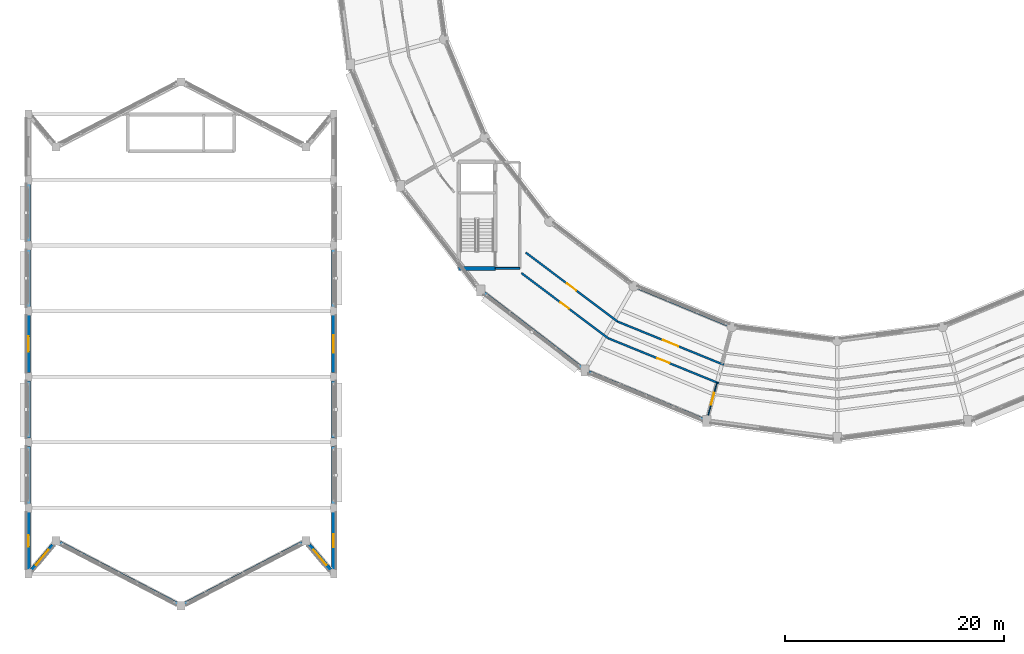
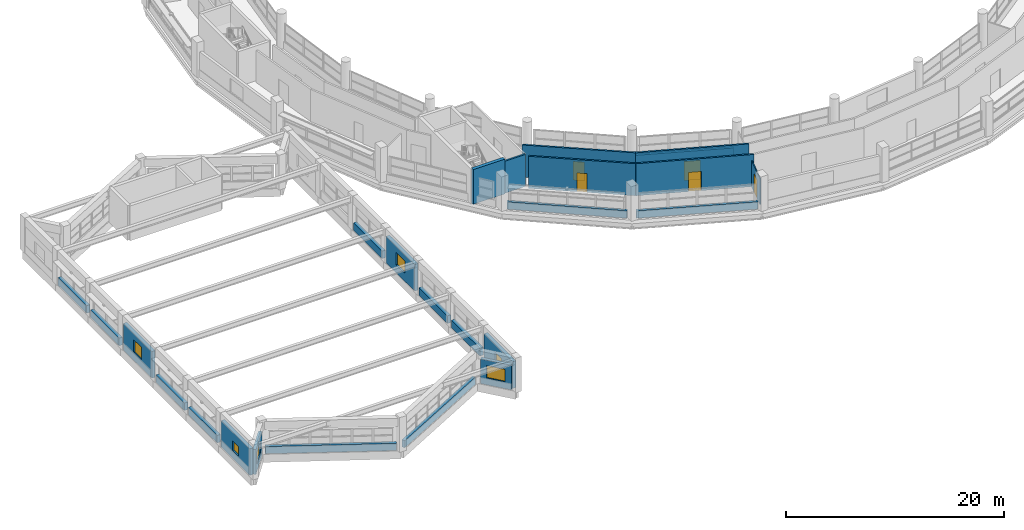
# One storey, part 89 of 108: 25 walls, 6 windows, 5 doors, 11 openings.
"""IFC4 building model written with IfcOpenShell, lengths in metres."""

from ifc_helpers import new_model, si_unit, direction, frame, frame_2d, origin, place, context, subcontext, project, spatial, rectangle, extrude, material, layer, layer_set, type_object, element, fill, save


model = new_model("IFC4")

# Units and contexts
model_context = context("Model", 3, precision=1e-05, world=origin(), true_north=direction((0.0, 1.0)))
body_context = subcontext(model_context, "Body", "Model", "MODEL_VIEW")
ifc_project = project(units=[si_unit("LENGTHUNIT", "METRE"), si_unit("AREAUNIT", "SQUARE_METRE"), si_unit("VOLUMEUNIT", "CUBIC_METRE"), si_unit("PLANEANGLEUNIT", "RADIAN"), si_unit("MASSUNIT", "GRAM", prefix="KILO")], contexts=[model_context])

# Site, building, storey
site_placement = place(None, origin())
site = spatial("IfcSite", under=ifc_project, at=site_placement, CompositionType="ELEMENT")
building_placement = place(site_placement, origin())
building = spatial("IfcBuilding", under=site, at=building_placement, Name="Vespera Passage Community Centre", CompositionType="ELEMENT")
storey_placement = place(building_placement, frame((0.0, 0.0, 12.60009765625)))
storey = spatial("IfcBuildingStorey", under=building, at=storey_placement, Name="L03", CompositionType="ELEMENT", Elevation=12.60009765625)

# Walls
ifc_material_1 = material(Name="Concrete f'c 45 MPa", Category="concrete")
ifc_layer_1 = layer(ifc_material_1, 0.340087890625)
ifc_layer_set_1 = layer_set([ifc_layer_1], Name="Concrete f'c 45 MPa")
wall_type_1 = type_object("IfcWallType", Name="WT-CORE-340I", PredefinedType="SHEAR", material=ifc_layer_set_1)
wall_1_placement = place(storey_placement, frame((46.73095703125, 34.89990234375, 0.0), z_axis=(0.0, 0.0, 1.0), x_axis=(-1.0, 0.0, 0.0)))
element("IfcWall", 1, at=wall_1_placement, inside=storey, type_object=wall_type_1, Name="Core C3 L03 Shear Wall LEFT", PredefinedType="SHEAR", context=body_context, shape_type="SweptSolid", body=[
    extrude(rectangle(XDim=3.33984375, YDim=0.340087890625, at=frame_2d((1.669921875, 0.0))), origin(), (0.0, 0.0, 1.0), 3.89990234375),
])
ifc_material_2 = material(Name="Gypsum board acoustic stud partition")
ifc_layer_2 = layer(ifc_material_2, 0.179931640625)
ifc_layer_set_2 = layer_set([ifc_layer_2], Name="Gypsum board acoustic stud partition")
wall_type_2 = type_object("IfcWallType", Name="WT-CORR-180I", PredefinedType="PARTITIONING", material=ifc_layer_set_2)
wall_2_placement = place(storey_placement, frame((46.73095703125, 34.89990234375, 0.0), z_axis=(0.0, 0.0, 1.0), x_axis=(1.0, 0.0, 0.0)))
element("IfcWall", 2, at=wall_2_placement, inside=storey, type_object=wall_type_2, Name="Core C3 L03 Lift Lobby Side Wall L", PredefinedType="PARTITIONING", context=body_context, shape_type="SweptSolid", body=[
    extrude(rectangle(XDim=2.25, YDim=0.179931640625, at=frame_2d((1.125, 0.0))), origin(), (0.0, 0.0, 1.0), 3.594970703125),
])

# Wall, opening, door
wall_3_placement = place(storey_placement, frame((49.124755859375, 34.47998046875, 0.0), z_axis=(0.0, 0.0, 1.0), x_axis=(0.799295797557, -0.600937790464, 0.0)))
wall_3 = element("IfcWall", 3, at=wall_3_placement, inside=storey, type_object=wall_type_2, Name="L03 Interior Partition V4-L03-CO14.1", PredefinedType="PARTITIONING", context=body_context, shape_type="SweptSolid", body=[
    extrude(rectangle(XDim=9.9091796875, YDim=0.179931640625, at=frame_2d((4.95458984375, 0.0))), origin(), (0.0, 0.0, 1.0), 3.594970703125),
])
opening_1_placement = place(wall_3_placement, frame((4.4794921875, 0.0, 0.0)))
opening_1 = element("IfcOpeningElement", 4, at=opening_1_placement, cuts=wall_3, Name="Opening DT-CORR-95", PredefinedType="OPENING", context=body_context, shape_type="SweptSolid", body=[
    extrude(rectangle(XDim=0.949951171875, YDim=2.10009765625, at=frame_2d((0.47509765625, 1.050048828125))), frame((0.0, 0.099853515625, 0.0), z_axis=(0.0, -1.0, 0.0), x_axis=(1.0, 0.0, 0.0)), (0.0, 0.0, 1.0), 0.199951171875),
])
ifc_material_3 = material(Name="Painted hollow-metal acoustic door", Category="steel")
door_type_1 = type_object("IfcDoorType", Name="DT-CORR-95", OperationType="NOTDEFINED", PredefinedType="DOOR", material=ifc_material_3)
door_1_placement = place(opening_1_placement, origin())
door_1 = element("IfcDoor", 5, at=door_1_placement, inside=storey, type_object=door_type_1, Name="L03 Interior Door D-246", OperationType="SINGLE_SWING_RIGHT", OverallHeight=2.10009765625, OverallWidth=0.949951171875, PredefinedType="DOOR", context=body_context, shape_type="SweptSolid", body=[
    extrude(rectangle(XDim=0.949951171875, YDim=2.10009765625, at=frame_2d((0.47509765625, 1.050048828125))), frame((0.0, 0.02490234375, 0.0), z_axis=(0.0, -1.0, 0.0), x_axis=(1.0, 0.0, 0.0)), (0.0, 0.0, 1.0), 0.050048828125),
])
fill(opening_1, door_1)

wall_4_placement = place(storey_placement, frame((49.522705078125, 36.35205078125, 0.0), z_axis=(0.0, 0.0, 1.0), x_axis=(0.799290119266, -0.600945342975, 0.0)))
wall_4 = element("IfcWall", 6, at=wall_4_placement, inside=storey, type_object=wall_type_2, Name="L03 Interior Partition V4-L03-CI14.1", PredefinedType="PARTITIONING", context=body_context, shape_type="SweptSolid", body=[
    extrude(rectangle(XDim=10.490966796875, YDim=0.179931640625, at=frame_2d((5.24560546875, 0.0))), origin(), (0.0, 0.0, 1.0), 3.594970703125),
])
opening_2_placement = place(wall_4_placement, frame((4.720458984375, 0.0, 0.0)))
opening_2 = element("IfcOpeningElement", 7, at=opening_2_placement, cuts=wall_4, Name="Opening DT-CORR-105", PredefinedType="OPENING", context=body_context, shape_type="SweptSolid", body=[
    extrude(rectangle(XDim=1.050048828125, YDim=2.10009765625, at=frame_2d((0.52490234375, 1.050048828125))), frame((0.0, 0.099853515625, 0.0), z_axis=(0.0, -1.0, 0.0), x_axis=(1.0, 0.0, 0.0)), (0.0, 0.0, 1.0), 0.199951171875),
])
ifc_material_4 = material(Name="Painted hollow-metal acoustic door", Category="steel")
door_type_2 = type_object("IfcDoorType", Name="DT-CORR-105", OperationType="NOTDEFINED", PredefinedType="DOOR", material=ifc_material_4)
door_2_placement = place(opening_2_placement, origin())
door_2 = element("IfcDoor", 8, at=door_2_placement, inside=storey, type_object=door_type_2, Name="L03 Interior Door D-247", OperationType="SINGLE_SWING_LEFT", OverallHeight=2.10009765625, OverallWidth=1.050048828125, PredefinedType="DOOR", context=body_context, shape_type="SweptSolid", body=[
    extrude(rectangle(XDim=1.050048828125, YDim=2.10009765625, at=frame_2d((0.52490234375, 1.050048828125))), frame((0.0, 0.02490234375, 0.0), z_axis=(0.0, -1.0, 0.0), x_axis=(1.0, 0.0, 0.0)), (0.0, 0.0, 1.0), 0.050048828125),
])
fill(opening_2, door_2)

wall_5_placement = place(storey_placement, frame((57.045166015625, 28.525146484375, 0.0), z_axis=(0.0, 0.0, 1.0), x_axis=(0.926220803824, -0.376981461831, 0.0)))
wall_5 = element("IfcWall", 9, at=wall_5_placement, inside=storey, type_object=wall_type_2, Name="L03 Interior Partition V4-L03-CO15.1", PredefinedType="PARTITIONING", context=body_context, shape_type="SweptSolid", body=[
    extrude(rectangle(XDim=10.941650390625, YDim=0.179931640625, at=frame_2d((5.470703125, 0.0))), origin(), (0.0, 0.0, 1.0), 3.594970703125),
])
opening_3_placement = place(wall_5_placement, frame((4.87060546875, 0.0, 0.0)))
opening_3 = element("IfcOpeningElement", 10, at=opening_3_placement, cuts=wall_5, Name="Opening DT-CORR-120", PredefinedType="OPENING", context=body_context, shape_type="SweptSolid", body=[
    extrude(rectangle(XDim=1.199951171875, YDim=2.14990234375, at=frame_2d((0.60009765625, 1.074951171875))), frame((0.0, 0.099853515625, 0.0), z_axis=(0.0, -1.0, 0.0), x_axis=(1.0, 0.0, 0.0)), (0.0, 0.0, 1.0), 0.199951171875),
])
ifc_material_5 = material(Name="Painted hollow-metal acoustic door", Category="steel")
door_type_3 = type_object("IfcDoorType", Name="DT-CORR-120", OperationType="NOTDEFINED", PredefinedType="DOOR", material=ifc_material_5)
door_3_placement = place(opening_3_placement, origin())
door_3 = element("IfcDoor", 11, at=door_3_placement, inside=storey, type_object=door_type_3, Name="L03 Interior Door D-248", OperationType="SINGLE_SWING_RIGHT", OverallHeight=2.14990234375, OverallWidth=1.199951171875, PredefinedType="DOOR", context=body_context, shape_type="SweptSolid", body=[
    extrude(rectangle(XDim=1.199951171875, YDim=2.14990234375, at=frame_2d((0.60009765625, 1.074951171875))), frame((0.0, 0.02490234375, 0.0), z_axis=(0.0, -1.0, 0.0), x_axis=(1.0, 0.0, 0.0)), (0.0, 0.0, 1.0), 0.050048828125),
])
fill(opening_3, door_3)

wall_6_placement = place(storey_placement, frame((57.907958984375, 30.047607421875, 0.0), z_axis=(0.0, 0.0, 1.0), x_axis=(0.92623233616, -0.376953126332, 0.0)))
wall_6 = element("IfcWall", 12, at=wall_6_placement, inside=storey, type_object=wall_type_2, Name="L03 Interior Partition V4-L03-CI15.1", PredefinedType="PARTITIONING", context=body_context, shape_type="SweptSolid", body=[
    extrude(rectangle(XDim=10.490966796875, YDim=0.179931640625, at=frame_2d((5.24560546875, 0.0))), origin(), (0.0, 0.0, 1.0), 3.594970703125),
])
opening_4_placement = place(wall_6_placement, frame((4.49560546875, 0.0, 0.0)))
opening_4 = element("IfcOpeningElement", 13, at=opening_4_placement, cuts=wall_6, Name="Opening DT-CORR-150", PredefinedType="OPENING", context=body_context, shape_type="SweptSolid", body=[
    extrude(rectangle(XDim=1.5, YDim=2.14990234375, at=frame_2d((0.75, 1.074951171875))), frame((0.0, 0.099853515625, 0.0), z_axis=(0.0, -1.0, 0.0), x_axis=(1.0, 0.0, 0.0)), (0.0, 0.0, 1.0), 0.199951171875),
])
ifc_material_6 = material(Name="Painted hollow-metal acoustic door", Category="steel")
door_type_4 = type_object("IfcDoorType", Name="DT-CORR-150", OperationType="NOTDEFINED", PredefinedType="DOOR", material=ifc_material_6)
door_4_placement = place(opening_4_placement, origin())
door_4 = element("IfcDoor", 14, at=door_4_placement, inside=storey, type_object=door_type_4, Name="L03 Interior Door D-249", OperationType="SINGLE_SWING_LEFT", OverallHeight=2.14990234375, OverallWidth=1.5, PredefinedType="DOOR", context=body_context, shape_type="SweptSolid", body=[
    extrude(rectangle(XDim=1.5, YDim=2.14990234375, at=frame_2d((0.75, 1.074951171875))), frame((0.0, 0.02490234375, 0.0), z_axis=(0.0, -1.0, 0.0), x_axis=(1.0, 0.0, 0.0)), (0.0, 0.0, 1.0), 0.050048828125),
])
fill(opening_4, door_4)

# Walls
ifc_material_7 = material(Name="Precast concrete f'c 40 MPa", Category="concrete")
ifc_layer_3 = layer(ifc_material_7, 0.25)
ifc_layer_set_3 = layer_set([ifc_layer_3], Name="Precast concrete f'c 40 MPa")
wall_type_3 = type_object("IfcWallType", Name="WT-EXT-250E", PredefinedType="STANDARD", material=ifc_layer_set_3)
wall_7_placement = place(storey_placement, frame((59.677001953125, 33.169189453125, 0.0), z_axis=(0.0, 0.0, 1.0), x_axis=(0.923880324771, -0.382681519675, 0.0)))
element("IfcWall", 15, at=wall_7_placement, inside=storey, type_object=wall_type_3, Name="V4 L03 Court Spandrel Wall I16", PredefinedType="STANDARD", context=body_context, shape_type="SweptSolid", body=[
    extrude(rectangle(XDim=9.111572265625, YDim=0.25, at=frame_2d((4.5556640625, 0.0))), origin(), (0.0, 0.0, 1.0), 0.81982421875),
])
ifc_material_8 = material(Name="Precast concrete f'c 40 MPa", Category="concrete")
ifc_layer_4 = layer(ifc_material_8, 0.280029296875)
ifc_layer_set_4 = layer_set([ifc_layer_4], Name="Precast concrete f'c 40 MPa")
wall_type_4 = type_object("IfcWallType", Name="WT-EXT-280E", PredefinedType="STANDARD", material=ifc_layer_set_4)
wall_8_placement = place(storey_placement, frame((54.5947265625, 25.8486328125, 0.0), z_axis=(0.0, 0.0, 1.0), x_axis=(-0.793342066679, 0.608776120785, 0.0)))
element("IfcWall", 16, at=wall_8_placement, inside=storey, type_object=wall_type_4, Name="V4 L03 Spandrel Wall O15", PredefinedType="STANDARD", context=body_context, shape_type="SweptSolid", body=[
    extrude(rectangle(XDim=11.13916015625, YDim=0.280029296875, at=frame_2d((5.569580078125, 0.0))), origin(), (0.0, 0.0, 1.0), 0.81982421875),
])
wall_9_placement = place(storey_placement, frame((65.716552734375, 21.11669921875, 0.0), z_axis=(0.0, 0.0, 1.0), x_axis=(-0.923883530636, 0.382673779896, 0.0)))
element("IfcWall", 17, at=wall_9_placement, inside=storey, type_object=wall_type_4, Name="V4 L03 Spandrel Wall O16", PredefinedType="STANDARD", context=body_context, shape_type="SweptSolid", body=[
    extrude(rectangle(XDim=11.2724609375, YDim=0.280029296875, at=frame_2d((5.63623046875, 0.0))), origin(), (0.0, 0.0, 1.0), 0.81982421875),
])

# Wall, opening, window
ifc_material_9 = material(Name="Precast concrete f'c 40 MPa", Category="concrete")
ifc_layer_5 = layer(ifc_material_9, 0.320068359375)
ifc_layer_set_5 = layer_set([ifc_layer_5], Name="Precast concrete f'c 40 MPa")
wall_type_5 = type_object("IfcWallType", Name="WT-EXT-320E", PredefinedType="STANDARD", material=ifc_layer_set_5)
wall_10_placement = place(storey_placement, frame((31.666015625, 7.33740234375, 0.0), z_axis=(0.0, 0.0, 1.0), x_axis=(-0.643796278673, 0.765196936459, 0.0)))
wall_10 = element("IfcWall", 18, at=wall_10_placement, inside=storey, type_object=wall_type_5, Name="V1 L03 S Apse Wall 1", PredefinedType="STANDARD", context=body_context, shape_type="SweptSolid", body=[
    extrude(rectangle(XDim=3.012451171875, YDim=0.320068359375, at=frame_2d((1.50634765625, 0.0))), origin(), (0.0, 0.0, 1.0), 2.764892578125),
])
opening_5_placement = place(wall_10_placement, frame((0.606201171875, 0.0, 0.75)))
opening_5 = element("IfcOpeningElement", 19, at=opening_5_placement, cuts=wall_10, Name="Opening WN-06E", PredefinedType="OPENING", context=body_context, shape_type="SweptSolid", body=[
    extrude(rectangle(XDim=1.800048828125, YDim=1.39990234375, at=frame_2d((0.89990234375, 0.699951171875))), frame((0.0, 0.170166015625, 0.0), z_axis=(0.0, -1.0, 0.0), x_axis=(1.0, 0.0, 0.0)), (0.0, 0.0, 1.0), 0.340087890625),
])
ifc_material_10 = material(Name="Low-E insulated vision glass", Category="glass")
window_type_1 = type_object("IfcWindowType", Name="WN-06E", PartitioningType="SINGLE_PANEL", PredefinedType="WINDOW", material=ifc_material_10)
window_1_placement = place(opening_5_placement, origin())
window_1 = element("IfcWindow", 20, at=window_1_placement, inside=storey, type_object=window_type_1, Name="Window WN-V1-L03-APS1", OverallHeight=1.39990234375, OverallWidth=1.800048828125, PartitioningType="SINGLE_PANEL", PredefinedType="WINDOW", context=body_context, shape_type="SweptSolid", body=[
    extrude(rectangle(XDim=1.800048828125, YDim=1.39990234375, at=frame_2d((0.89990234375, 0.699951171875))), frame((0.0, 0.030029296875, 0.0), z_axis=(0.0, -1.0, 0.0), x_axis=(1.0, 0.0, 0.0)), (0.0, 0.0, 1.0), 0.06005859375),
])
fill(opening_5, window_1)

# Walls
for number, where, z_axis, x_axis, name in (
    (21, (29.074462890625, 9.81494140625, 0.0), (0.0, 0.0, 1.0), (-0.887012674584, -0.46174507591, 0.0), "V1 L03 S Apse Spandrel 2"),
    (22, (17.647216796875, 4.233642578125, 0.0), (0.0, 0.0, 1.0), (-0.887012674584, 0.46174507591, 0.0), "V1 L03 S Apse Spandrel 3"),
):
    element("IfcWall", number, at=place(storey_placement, frame(where, z_axis=z_axis, x_axis=x_axis)), inside=storey, type_object=wall_type_5, Name=name, PredefinedType="STANDARD", context=body_context, shape_type="SweptSolid", body=[
        extrude(rectangle(XDim=12.08740234375, YDim=0.320068359375, at=frame_2d((6.043701171875, 0.0))), origin(), (0.0, 0.0, 1.0), 0.7998046875),
    ])

# Wall, opening, window
wall_11_placement = place(storey_placement, frame((6.2734375, 9.642578125, 0.0), z_axis=(0.0, 0.0, 1.0), x_axis=(-0.643796278673, -0.765196936459, 0.0)))
wall_11 = element("IfcWall", 23, at=wall_11_placement, inside=storey, type_object=wall_type_5, Name="V1 L03 S Apse Wall 4", PredefinedType="STANDARD", context=body_context, shape_type="SweptSolid", body=[
    extrude(rectangle(XDim=3.012451171875, YDim=0.320068359375, at=frame_2d((1.50634765625, 0.0))), origin(), (0.0, 0.0, 1.0), 2.764892578125),
])
opening_6_placement = place(wall_11_placement, frame((0.606201171875, 0.0, 0.75)))
opening_6 = element("IfcOpeningElement", 24, at=opening_6_placement, cuts=wall_11, Name="Opening WN-06E", PredefinedType="OPENING", context=body_context, shape_type="SweptSolid", body=[
    extrude(rectangle(XDim=1.800048828125, YDim=1.39990234375, at=frame_2d((0.89990234375, 0.699951171875))), frame((0.0, 0.170166015625, 0.0), z_axis=(0.0, -1.0, 0.0), x_axis=(1.0, 0.0, 0.0)), (0.0, 0.0, 1.0), 0.340087890625),
])
window_2_placement = place(opening_6_placement, origin())
window_2 = element("IfcWindow", 25, at=window_2_placement, inside=storey, type_object=window_type_1, Name="Window WN-V1-L03-APS4", OverallHeight=1.39990234375, OverallWidth=1.800048828125, PartitioningType="SINGLE_PANEL", PredefinedType="WINDOW", context=body_context, shape_type="SweptSolid", body=[
    extrude(rectangle(XDim=1.800048828125, YDim=1.39990234375, at=frame_2d((0.89990234375, 0.699951171875))), frame((0.0, 0.030029296875, 0.0), z_axis=(0.0, -1.0, 0.0), x_axis=(1.0, 0.0, 0.0)), (0.0, 0.0, 1.0), 0.06005859375),
])
fill(opening_6, window_2)

ifc_material_11 = material(Name="Precast concrete f'c 40 MPa", Category="concrete")
ifc_layer_6 = layer(ifc_material_11, 0.360107421875)
ifc_layer_set_6 = layer_set([ifc_layer_6], Name="Precast concrete f'c 40 MPa")
wall_type_6 = type_object("IfcWallType", Name="WT-EXT-360E", PredefinedType="STANDARD", material=ifc_layer_set_6)
wall_12_placement = place(storey_placement, frame((4.050048828125, 7.375, 0.0), z_axis=(0.0, 0.0, 1.0), x_axis=(0.0, 1.0, 0.0)))
wall_12 = element("IfcWall", 26, at=wall_12_placement, inside=storey, type_object=wall_type_6, Name="V1 L03 Facade Wall W1", PredefinedType="STANDARD", context=body_context, shape_type="SweptSolid", body=[
    extrude(rectangle(XDim=5.25, YDim=0.360107421875, at=frame_2d((2.625, 0.0))), origin(), (0.0, 0.0, 1.0), 2.98486328125),
])
opening_7_placement = place(wall_12_placement, frame((2.10009765625, 0.0, 0.89990234375)))
opening_7 = element("IfcOpeningElement", 27, at=opening_7_placement, cuts=wall_12, Name="Opening WN-02E", PredefinedType="OPENING", context=body_context, shape_type="SweptSolid", body=[
    extrude(rectangle(XDim=1.050048828125, YDim=1.050048828125, at=frame_2d((0.52490234375, 0.52490234375))), frame((0.0, 0.190185546875, 0.0), z_axis=(0.0, -1.0, 0.0), x_axis=(1.0, 0.0, 0.0)), (0.0, 0.0, 1.0), 0.380126953125),
])
ifc_material_12 = material(Name="Low-E insulated vision glass", Category="glass")
window_type_2 = type_object("IfcWindowType", Name="WN-02E", PartitioningType="SINGLE_PANEL", PredefinedType="WINDOW", material=ifc_material_12)
window_3_placement = place(opening_7_placement, origin())
window_3 = element("IfcWindow", 28, at=window_3_placement, inside=storey, type_object=window_type_2, Name="Window WN-V1-L03-W1", OverallHeight=1.050048828125, OverallWidth=1.050048828125, PartitioningType="SINGLE_PANEL", PredefinedType="WINDOW", context=body_context, shape_type="SweptSolid", body=[
    extrude(rectangle(XDim=1.050048828125, YDim=1.050048828125, at=frame_2d((0.52490234375, 0.52490234375))), frame((0.0, 0.030029296875, 0.0), z_axis=(0.0, -1.0, 0.0), x_axis=(1.0, 0.0, 0.0)), (0.0, 0.0, 1.0), 0.06005859375),
])
fill(opening_7, window_3)

wall_13_placement = place(storey_placement, frame((31.949951171875, 12.625, 0.0), z_axis=(0.0, 0.0, 1.0), x_axis=(0.0, -1.0, 0.0)))
wall_13 = element("IfcWall", 29, at=wall_13_placement, inside=storey, type_object=wall_type_6, Name="V1 L03 Facade Wall E1", PredefinedType="STANDARD", context=body_context, shape_type="SweptSolid", body=[
    extrude(rectangle(XDim=5.25, YDim=0.360107421875, at=frame_2d((2.625, 0.0))), origin(), (0.0, 0.0, 1.0), 2.98486328125),
])
opening_8_placement = place(wall_13_placement, frame((2.02490234375, 0.0, 0.89990234375)))
opening_8 = element("IfcOpeningElement", 30, at=opening_8_placement, cuts=wall_13, Name="Opening WN-03E", PredefinedType="OPENING", context=body_context, shape_type="SweptSolid", body=[
    extrude(rectangle(XDim=1.199951171875, YDim=1.199951171875, at=frame_2d((0.60009765625, 0.60009765625))), frame((0.0, 0.190185546875, 0.0), z_axis=(0.0, -1.0, 0.0), x_axis=(1.0, 0.0, 0.0)), (0.0, 0.0, 1.0), 0.380126953125),
])
ifc_material_13 = material(Name="Low-E insulated vision glass", Category="glass")
window_type_3 = type_object("IfcWindowType", Name="WN-03E", PartitioningType="SINGLE_PANEL", PredefinedType="WINDOW", material=ifc_material_13)
window_4_placement = place(opening_8_placement, origin())
window_4 = element("IfcWindow", 31, at=window_4_placement, inside=storey, type_object=window_type_3, Name="Window WN-V1-L03-E1", OverallHeight=1.199951171875, OverallWidth=1.199951171875, PartitioningType="SINGLE_PANEL", PredefinedType="WINDOW", context=body_context, shape_type="SweptSolid", body=[
    extrude(rectangle(XDim=1.199951171875, YDim=1.199951171875, at=frame_2d((0.60009765625, 0.60009765625))), frame((0.0, 0.030029296875, 0.0), z_axis=(0.0, -1.0, 0.0), x_axis=(1.0, 0.0, 0.0)), (0.0, 0.0, 1.0), 0.06005859375),
])
fill(opening_8, window_4)

# Walls
for number, where, z_axis, x_axis, name in (
    (32, (4.050048828125, 13.375, 0.0), (0.0, 0.0, 1.0), (0.0, 1.0, 0.0), "V1 L03 Spandrel W2"),
    (33, (31.949951171875, 18.625, 0.0), (0.0, 0.0, 1.0), (0.0, -1.0, 0.0), "V1 L03 Spandrel E2"),
    (34, (4.050048828125, 19.375, 0.0), (0.0, 0.0, 1.0), (0.0, 1.0, 0.0), "V1 L03 Spandrel W3"),
    (35, (31.949951171875, 24.625, 0.0), (0.0, 0.0, 1.0), (0.0, -1.0, 0.0), "V1 L03 Spandrel E3"),
):
    element("IfcWall", number, at=place(storey_placement, frame(where, z_axis=z_axis, x_axis=x_axis)), inside=storey, type_object=wall_type_6, Name=name, PredefinedType="STANDARD", context=body_context, shape_type="SweptSolid", body=[
        extrude(rectangle(XDim=5.25, YDim=0.360107421875, at=frame_2d((2.625, 0.0))), origin(), (0.0, 0.0, 1.0), 0.849853515625),
    ])

# Wall, opening, window
wall_14_placement = place(storey_placement, frame((4.050048828125, 25.375, 0.0), z_axis=(0.0, 0.0, 1.0), x_axis=(0.0, 1.0, 0.0)))
wall_14 = element("IfcWall", 36, at=wall_14_placement, inside=storey, type_object=wall_type_6, Name="V1 L03 Facade Wall W4", PredefinedType="STANDARD", context=body_context, shape_type="SweptSolid", body=[
    extrude(rectangle(XDim=5.25, YDim=0.360107421875, at=frame_2d((2.625, 0.0))), origin(), (0.0, 0.0, 1.0), 2.98486328125),
])
opening_9_placement = place(wall_14_placement, frame((1.925048828125, 0.0, 0.89990234375)))
opening_9 = element("IfcOpeningElement", 37, at=opening_9_placement, cuts=wall_14, Name="Opening WN-04E", PredefinedType="OPENING", context=body_context, shape_type="SweptSolid", body=[
    extrude(rectangle(XDim=1.39990234375, YDim=1.39990234375, at=frame_2d((0.699951171875, 0.699951171875))), frame((0.0, 0.190185546875, 0.0), z_axis=(0.0, -1.0, 0.0), x_axis=(1.0, 0.0, 0.0)), (0.0, 0.0, 1.0), 0.380126953125),
])
ifc_material_14 = material(Name="Low-E insulated vision glass", Category="glass")
window_type_4 = type_object("IfcWindowType", Name="WN-04E", PartitioningType="SINGLE_PANEL", PredefinedType="WINDOW", material=ifc_material_14)
window_5_placement = place(opening_9_placement, origin())
window_5 = element("IfcWindow", 38, at=window_5_placement, inside=storey, type_object=window_type_4, Name="Window WN-V1-L03-W4", OverallHeight=1.39990234375, OverallWidth=1.39990234375, PartitioningType="SINGLE_PANEL", PredefinedType="WINDOW", context=body_context, shape_type="SweptSolid", body=[
    extrude(rectangle(XDim=1.39990234375, YDim=1.39990234375, at=frame_2d((0.699951171875, 0.699951171875))), frame((0.0, 0.030029296875, 0.0), z_axis=(0.0, -1.0, 0.0), x_axis=(1.0, 0.0, 0.0)), (0.0, 0.0, 1.0), 0.06005859375),
])
fill(opening_9, window_5)

wall_15_placement = place(storey_placement, frame((31.949951171875, 30.625, 0.0), z_axis=(0.0, 0.0, 1.0), x_axis=(0.0, -1.0, 0.0)))
wall_15 = element("IfcWall", 39, at=wall_15_placement, inside=storey, type_object=wall_type_6, Name="V1 L03 Facade Wall E4", PredefinedType="STANDARD", context=body_context, shape_type="SweptSolid", body=[
    extrude(rectangle(XDim=5.25, YDim=0.360107421875, at=frame_2d((2.625, 0.0))), origin(), (0.0, 0.0, 1.0), 2.98486328125),
])
opening_10_placement = place(wall_15_placement, frame((1.824951171875, 0.0, 0.89990234375)))
opening_10 = element("IfcOpeningElement", 40, at=opening_10_placement, cuts=wall_15, Name="Opening WN-05E", PredefinedType="OPENING", context=body_context, shape_type="SweptSolid", body=[
    extrude(rectangle(XDim=1.60009765625, YDim=1.39990234375, at=frame_2d((0.800048828125, 0.699951171875))), frame((0.0, 0.190185546875, 0.0), z_axis=(0.0, -1.0, 0.0), x_axis=(1.0, 0.0, 0.0)), (0.0, 0.0, 1.0), 0.380126953125),
])
ifc_material_15 = material(Name="Low-E insulated vision glass", Category="glass")
window_type_5 = type_object("IfcWindowType", Name="WN-05E", PartitioningType="SINGLE_PANEL", PredefinedType="WINDOW", material=ifc_material_15)
window_6_placement = place(opening_10_placement, origin())
window_6 = element("IfcWindow", 41, at=window_6_placement, inside=storey, type_object=window_type_5, Name="Window WN-V1-L03-E4", OverallHeight=1.39990234375, OverallWidth=1.60009765625, PartitioningType="SINGLE_PANEL", PredefinedType="WINDOW", context=body_context, shape_type="SweptSolid", body=[
    extrude(rectangle(XDim=1.60009765625, YDim=1.39990234375, at=frame_2d((0.800048828125, 0.699951171875))), frame((0.0, 0.030029296875, 0.0), z_axis=(0.0, -1.0, 0.0), x_axis=(1.0, 0.0, 0.0)), (0.0, 0.0, 1.0), 0.06005859375),
])
fill(opening_10, window_6)

# Walls
for number, where, z_axis, x_axis, name in (
    (42, (4.050048828125, 31.375, 0.0), (0.0, 0.0, 1.0), (0.0, 1.0, 0.0), "V1 L03 Spandrel W5"),
    (43, (31.949951171875, 36.625, 0.0), (0.0, 0.0, 1.0), (0.0, -1.0, 0.0), "V1 L03 Spandrel E5"),
    (44, (4.050048828125, 37.375, 0.0), (0.0, 0.0, 1.0), (0.0, 1.0, 0.0), "V1 L03 Spandrel W6"),
):
    element("IfcWall", number, at=place(storey_placement, frame(where, z_axis=z_axis, x_axis=x_axis)), inside=storey, type_object=wall_type_6, Name=name, PredefinedType="STANDARD", context=body_context, shape_type="SweptSolid", body=[
        extrude(rectangle(XDim=5.25, YDim=0.360107421875, at=frame_2d((2.625, 0.0))), origin(), (0.0, 0.0, 1.0), 0.849853515625),
    ])

# Wall, opening, door
ifc_material_16 = material(Name="Gypsum board stud partition")
ifc_layer_7 = layer(ifc_material_16, 0.10009765625)
ifc_layer_set_7 = layer_set([ifc_layer_7], Name="Gypsum board stud partition")
wall_type_7 = type_object("IfcWallType", Name="WT-LIGHT-100I", PredefinedType="PARTITIONING", material=ifc_layer_set_7)
wall_16_placement = place(storey_placement, frame((67.000244140625, 24.4482421875, 0.0), z_axis=(0.0, 0.0, 1.0), x_axis=(-0.258868119081, -0.96591267562, 0.0)))
wall_16 = element("IfcWall", 45, at=wall_16_placement, inside=storey, type_object=wall_type_7, Name="L03 Interior Partition V4-L03-RO21-2.1", PredefinedType="PARTITIONING", context=body_context, shape_type="SweptSolid", body=[
    extrude(rectangle(XDim=3.050048828125, YDim=0.10009765625, at=frame_2d((1.52490234375, 0.0))), origin(), (0.0, 0.0, 1.0), 2.95654296875),
])
opening_11_placement = place(wall_16_placement, frame((0.965087890625, 0.0, 0.0)))
opening_11 = element("IfcOpeningElement", 46, at=opening_11_placement, cuts=wall_16, Name="Opening DT-INT-112", PredefinedType="OPENING", context=body_context, shape_type="SweptSolid", body=[
    extrude(rectangle(XDim=1.1201171875, YDim=2.10009765625, at=frame_2d((0.56005859375, 1.050048828125))), frame((0.0, 0.06005859375, 0.0), z_axis=(0.0, -1.0, 0.0), x_axis=(1.0, 0.0, 0.0)), (0.0, 0.0, 1.0), 0.1201171875),
])
ifc_material_17 = material(Name="Solid-core maple veneer door", Category="wood")
door_type_5 = type_object("IfcDoorType", Name="DT-INT-112", OperationType="NOTDEFINED", PredefinedType="DOOR", material=ifc_material_17)
door_5_placement = place(opening_11_placement, origin())
door_5 = element("IfcDoor", 47, at=door_5_placement, inside=storey, type_object=door_type_5, Name="L03 Interior Door D-262", OperationType="SINGLE_SWING_RIGHT", OverallHeight=2.10009765625, OverallWidth=1.1201171875, PredefinedType="DOOR", context=body_context, shape_type="SweptSolid", body=[
    extrude(rectangle(XDim=1.1201171875, YDim=2.10009765625, at=frame_2d((0.56005859375, 1.050048828125))), frame((0.0, 0.02490234375, 0.0), z_axis=(0.0, -1.0, 0.0), x_axis=(1.0, 0.0, 0.0)), (0.0, 0.0, 1.0), 0.050048828125),
])
fill(opening_11, door_5)

save(model, "model.ifc")
